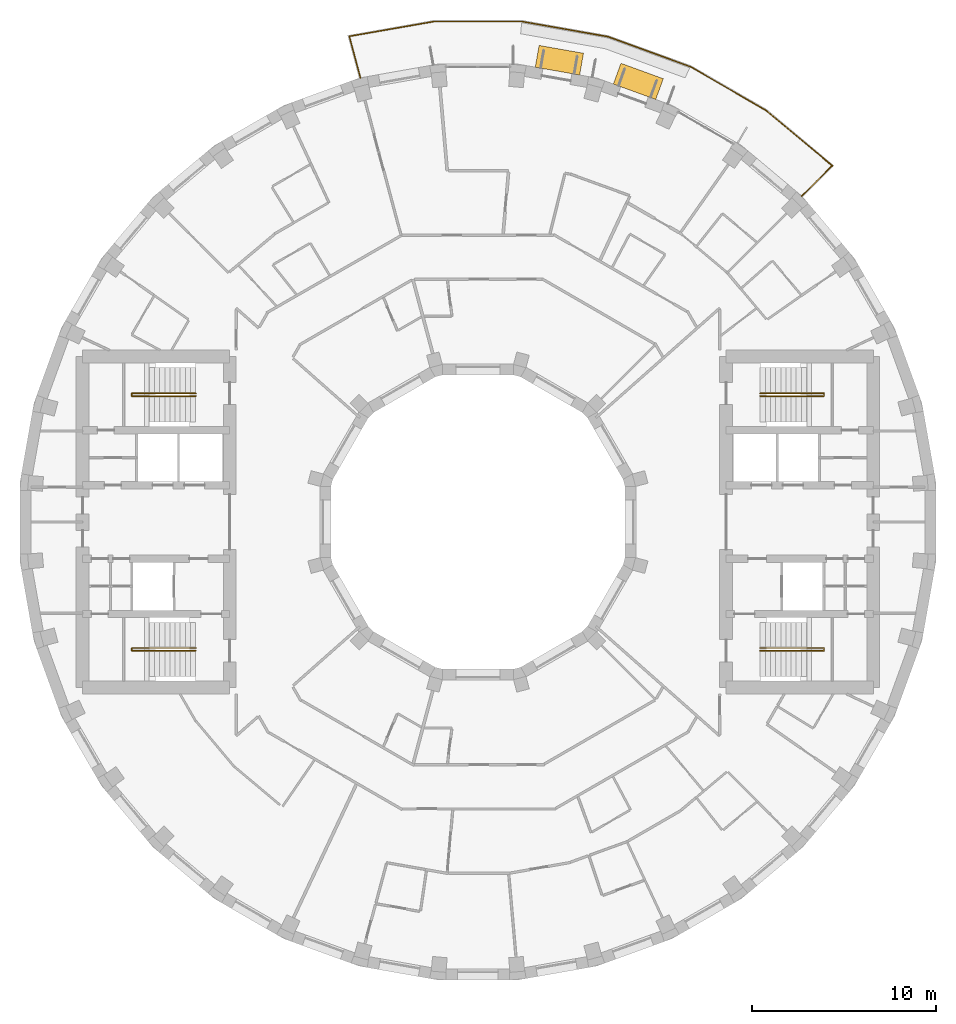
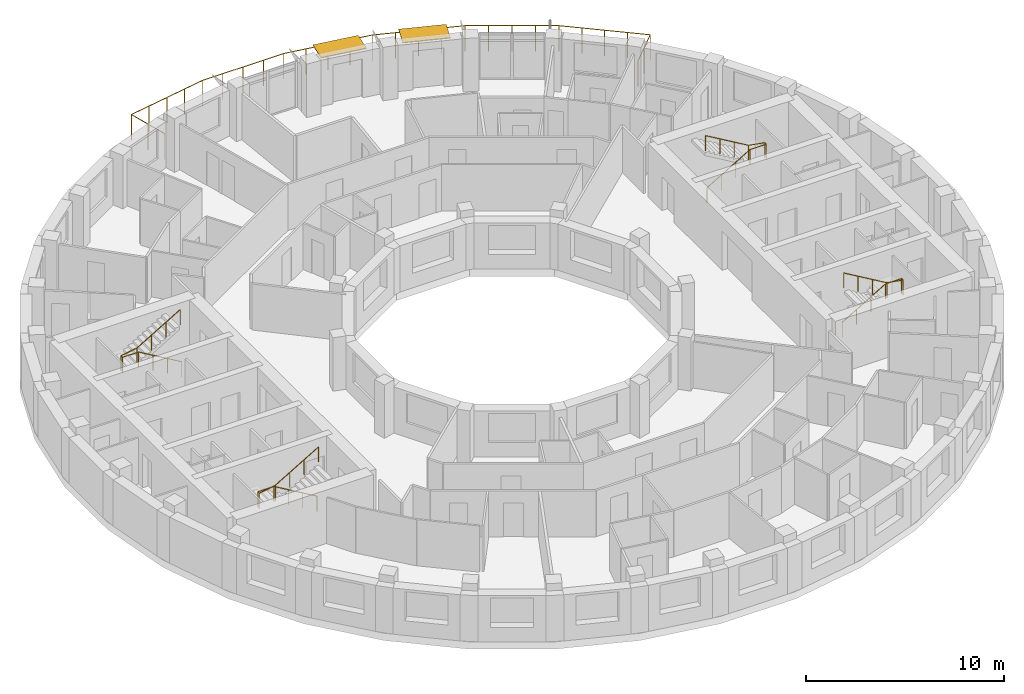
# One storey, part 13 of 13: 5 railings, 2 shading devices.
"""IFC4 building model written with IfcOpenShell, lengths in metres."""

from ifc_helpers import new_model, si_unit, direction, frame, origin, origin_2d, place, context, subcontext, project, spatial, rectangle, circle, extrude, material, layer, layer_set, type_object, element, save


model = new_model("IFC4")

# Units and contexts
model_context = context("Model", 3, precision=1e-05, world=origin(), true_north=direction((0.0, 1.0)))
body_context = subcontext(model_context, "Body", "Model", "MODEL_VIEW")
ifc_project = project(units=[si_unit("LENGTHUNIT", "METRE"), si_unit("AREAUNIT", "SQUARE_METRE"), si_unit("VOLUMEUNIT", "CUBIC_METRE"), si_unit("PLANEANGLEUNIT", "RADIAN"), si_unit("MASSUNIT", "GRAM", prefix="KILO")], contexts=[model_context])

# Site, building, storey
site_placement = place(None, origin())
site = spatial("IfcSite", under=ifc_project, at=site_placement, CompositionType="ELEMENT")
building_placement = place(site_placement, origin())
building = spatial("IfcBuilding", under=site, at=building_placement, Name="Saqina Gate Tower", CompositionType="ELEMENT")
storey_placement = place(building_placement, frame((0.0, 0.0, 200.39990234375)))
storey = spatial("IfcBuildingStorey", under=building, at=storey_placement, Name="L57", CompositionType="ELEMENT", Elevation=200.39990234375)

# Shading devices
ifc_material_1 = material(Name="Aluminium and fabric awning", Category="aluminium")
ifc_layer = layer(ifc_material_1, 0.050048828125)
ifc_layer_set = layer_set([ifc_layer], Name="AW-TERRACE")
shading_device_type = type_object("IfcShadingDeviceType", Name="AW-TERRACE", PredefinedType="AWNING", material=ifc_layer_set)
for number, where, z_axis, x_axis, name in (
    (1, (8.72314453125, 23.966796875, 2.52490234375), (0.0, 0.0, 1.0), (-0.939692620786, 0.342020143326, 0.0), "Terrace awning L57 facet 7"),
    (2, (4.428955078125, 25.117431640625, 2.52490234375), (0.0, 0.0, 1.0), (-0.984807753012, 0.173648177667, 0.0), "Terrace awning L57 facet 8"),
):
    element("IfcShadingDevice", number, at=place(storey_placement, frame(where, z_axis=z_axis, x_axis=x_axis)), inside=storey, type_object=shading_device_type, Name=name, PredefinedType="AWNING", context=body_context, shape_type="SweptSolid", body=[
        extrude(rectangle(XDim=2.44970703125, YDim=1.199951171875, at=origin_2d()), origin(), (0.0, 0.0, 1.0), 0.050048828125),
    ])

# Railings
ifc_material_2 = material(Name="Stainless steel", Category="steel")
railing_type_1 = type_object("IfcRailingType", Name="RL-TERRACE", PredefinedType="GUARDRAIL", material=ifc_material_2)
railing_1_placement = place(storey_placement, frame((17.57861328125, 17.69189453125, 0.0)))
element("IfcRailing", 3, at=railing_1_placement, inside=storey, type_object=railing_type_1, Name="Terrace guard L57", PredefinedType="GUARDRAIL", context=body_context, shape_type="SweptSolid", body=[
    extrude(circle(Radius=0.02392578125, at=origin_2d()), frame((0.0, 0.0, 1.576171875), z_axis=(0.707106781187, 0.707106781187, 0.0), x_axis=(-0.707106781187, 0.707106781187, 0.0)), (0.0, 0.0, 1.0), 2.388916015625),
    extrude(circle(Radius=0.02392578125, at=origin_2d()), frame((1.689208984375, 1.689208984375, 1.576171875), z_axis=(-0.767002243016, 0.641644418045, 0.0), x_axis=(-0.641644418045, -0.767002243016, 0.0)), (0.0, 0.0, 1.0), 4.683837890625),
    extrude(circle(Radius=0.02392578125, at=origin_2d()), frame((-1.9033203125, 4.694580078125, 1.576171875), z_axis=(-0.866026842905, 0.499997507361, 0.0), x_axis=(-0.499997507361, -0.866026842905, 0.0)), (0.0, 0.0, 1.0), 4.763671875),
    extrude(circle(Radius=0.02392578125, at=origin_2d()), frame((-6.02880859375, 7.076416015625, 1.576171875), z_axis=(-0.939688638318, 0.342031084868, 0.0), x_axis=(-0.342031084868, -0.939688638318, 0.0)), (0.0, 0.0, 1.0), 4.763916015625),
    extrude(circle(Radius=0.02392578125, at=origin_2d()), frame((-10.50537109375, 8.705810546875, 1.576171875), z_axis=(-0.98481037568, 0.173633303123, 0.0), x_axis=(-0.173633303123, -0.98481037568, 0.0)), (0.0, 0.0, 1.0), 4.763671875),
    extrude(circle(Radius=0.02392578125, at=origin_2d()), frame((-15.19677734375, 9.532958984375, 1.576171875), z_axis=(-1.0, 0.0, 0.0), x_axis=(0.0, -1.0, 0.0)), (0.0, 0.0, 1.0), 4.763671875),
    extrude(circle(Radius=0.02392578125, at=origin_2d()), frame((-19.96044921875, 9.532958984375, 1.576171875), z_axis=(-0.985070265823, -0.17215275598, 0.0), x_axis=(0.17215275598, -0.985070265823, 0.0)), (0.0, 0.0, 1.0), 4.68408203125),
    extrude(circle(Radius=0.02392578125, at=origin_2d()), frame((-24.57470703125, 8.7265625, 1.576171875), z_axis=(0.258851866296, -0.965917031279, 0.0), x_axis=(0.965917031279, 0.258851866296, 0.0)), (0.0, 0.0, 1.0), 2.38916015625),
    extrude(circle(Radius=0.02099609375, at=origin_2d()), origin(), (0.0, 0.0, 1.0), 1.552001953125),
    extrude(circle(Radius=0.02099609375, at=origin_2d()), frame((0.8447265625, 0.8447265625, 0.0)), (0.0, 0.0, 1.0), 1.552001953125),
    extrude(circle(Radius=0.02099609375, at=origin_2d()), frame((1.689208984375, 1.689208984375, 0.0)), (0.0, 0.0, 1.0), 1.552001953125),
    extrude(circle(Radius=0.02099609375, at=origin_2d()), frame((0.791015625, 2.4404296875, 0.0)), (0.0, 0.0, 1.0), 1.552001953125),
    extrude(circle(Radius=0.02099609375, at=origin_2d()), frame((-0.10693359375, 3.19189453125, 0.0)), (0.0, 0.0, 1.0), 1.552001953125),
    extrude(circle(Radius=0.02099609375, at=origin_2d()), frame((-1.005126953125, 3.943359375, 0.0)), (0.0, 0.0, 1.0), 1.552001953125),
    extrude(circle(Radius=0.02099609375, at=origin_2d()), frame((-1.9033203125, 4.694580078125, 0.0)), (0.0, 0.0, 1.0), 1.552001953125),
    extrude(circle(Radius=0.02099609375, at=origin_2d()), frame((-2.9345703125, 5.2900390625, 0.0)), (0.0, 0.0, 1.0), 1.552001953125),
    extrude(circle(Radius=0.02099609375, at=origin_2d()), frame((-3.966064453125, 5.885498046875, 0.0)), (0.0, 0.0, 1.0), 1.552001953125),
    extrude(circle(Radius=0.02099609375, at=origin_2d()), frame((-4.99755859375, 6.48095703125, 0.0)), (0.0, 0.0, 1.0), 1.552001953125),
    extrude(circle(Radius=0.02099609375, at=origin_2d()), frame((-6.02880859375, 7.076416015625, 0.0)), (0.0, 0.0, 1.0), 1.552001953125),
    extrude(circle(Radius=0.02099609375, at=origin_2d()), frame((-7.14794921875, 7.48388671875, 0.0)), (0.0, 0.0, 1.0), 1.552001953125),
    extrude(circle(Radius=0.02099609375, at=origin_2d()), frame((-8.26708984375, 7.89111328125, 0.0)), (0.0, 0.0, 1.0), 1.552001953125),
    extrude(circle(Radius=0.02099609375, at=origin_2d()), frame((-9.38623046875, 8.29833984375, 0.0)), (0.0, 0.0, 1.0), 1.552001953125),
    extrude(circle(Radius=0.02099609375, at=origin_2d()), frame((-10.50537109375, 8.705810546875, 0.0)), (0.0, 0.0, 1.0), 1.552001953125),
    extrude(circle(Radius=0.02099609375, at=origin_2d()), frame((-11.67822265625, 8.91259765625, 0.0)), (0.0, 0.0, 1.0), 1.552001953125),
    extrude(circle(Radius=0.02099609375, at=origin_2d()), frame((-12.85107421875, 9.119384765625, 0.0)), (0.0, 0.0, 1.0), 1.552001953125),
    extrude(circle(Radius=0.02099609375, at=origin_2d()), frame((-14.02392578125, 9.326171875, 0.0)), (0.0, 0.0, 1.0), 1.552001953125),
    extrude(circle(Radius=0.02099609375, at=origin_2d()), frame((-15.19677734375, 9.532958984375, 0.0)), (0.0, 0.0, 1.0), 1.552001953125),
    extrude(circle(Radius=0.02099609375, at=origin_2d()), frame((-16.3876953125, 9.532958984375, 0.0)), (0.0, 0.0, 1.0), 1.552001953125),
    extrude(circle(Radius=0.02099609375, at=origin_2d()), frame((-17.57861328125, 9.532958984375, 0.0)), (0.0, 0.0, 1.0), 1.552001953125),
    extrude(circle(Radius=0.02099609375, at=origin_2d()), frame((-18.76953125, 9.532958984375, 0.0)), (0.0, 0.0, 1.0), 1.552001953125),
    extrude(circle(Radius=0.02099609375, at=origin_2d()), frame((-19.96044921875, 9.532958984375, 0.0)), (0.0, 0.0, 1.0), 1.552001953125),
    extrude(circle(Radius=0.02099609375, at=origin_2d()), frame((-21.114013671875, 9.331298828125, 0.0)), (0.0, 0.0, 1.0), 1.552001953125),
    extrude(circle(Radius=0.02099609375, at=origin_2d()), frame((-22.267578125, 9.1298828125, 0.0)), (0.0, 0.0, 1.0), 1.552001953125),
    extrude(circle(Radius=0.02099609375, at=origin_2d()), frame((-23.421142578125, 8.92822265625, 0.0)), (0.0, 0.0, 1.0), 1.552001953125),
    extrude(circle(Radius=0.02099609375, at=origin_2d()), frame((-24.57470703125, 8.7265625, 0.0)), (0.0, 0.0, 1.0), 1.552001953125),
    extrude(circle(Radius=0.02099609375, at=origin_2d()), frame((-24.265625, 7.57275390625, 0.0)), (0.0, 0.0, 1.0), 1.552001953125),
    extrude(circle(Radius=0.02099609375, at=origin_2d()), frame((-23.956298828125, 6.4189453125, 0.0)), (0.0, 0.0, 1.0), 1.552001953125),
])
ifc_material_3 = material(Name="Stainless steel", Category="steel")
railing_type_2 = type_object("IfcRailingType", Name="STAIR HANDRAIL", PredefinedType="HANDRAIL", material=ifc_material_3)
railing_2_placement = place(storey_placement, frame((15.35009765625, 6.85009765625, 0.1650390625)))
element("IfcRailing", 4, at=railing_2_placement, inside=storey, type_object=railing_type_2, Name="EXIT STAIR 1 HANDRAIL", PredefinedType="HANDRAIL", context=body_context, shape_type="SweptSolid", body=[
    extrude(circle(Radius=0.02392578125, at=origin_2d()), frame((0.0, 0.0, 0.92578125), z_axis=(0.86152411907, 0.0, 0.507716645641), x_axis=(0.0, 1.0, 0.0)), (0.0, 0.0, 1.0), 2.925048828125),
    extrude(circle(Radius=0.02392578125, at=origin_2d()), frame((2.52001953125, 0.0, 2.4111328125), z_axis=(1.0, 0.0, 0.0), x_axis=(0.0, 1.0, 0.0)), (0.0, 0.0, 1.0), 0.949951171875),
    extrude(circle(Radius=0.02392578125, at=origin_2d()), frame((3.469970703125, 0.0, 2.4111328125), z_axis=(0.0, 1.0, 0.0), x_axis=(-1.0, 0.0, 0.0)), (0.0, 0.0, 1.0), 0.14990234375),
    extrude(circle(Radius=0.02392578125, at=origin_2d()), frame((3.469970703125, 0.14990234375, 2.4111328125), z_axis=(-0.985241474778, 0.0, 0.171170197109), x_axis=(0.0, -1.0, 0.0)), (0.0, 0.0, 1.0), 0.964111328125),
    extrude(circle(Radius=0.02392578125, at=origin_2d()), frame((2.52001953125, 0.14990234375, 2.576171875), z_axis=(-0.861560626758, 0.0, 0.507654692109), x_axis=(0.0, -1.0, 0.0)), (0.0, 0.0, 1.0), 2.925048828125),
    extrude(circle(Radius=0.02099609375, at=origin_2d()), origin(), (0.0, 0.0, 1.0), 0.90185546875),
    extrude(circle(Radius=0.02099609375, at=origin_2d()), frame((0.840087890625, 0.0, 0.4951171875)), (0.0, 0.0, 1.0), 0.90185546875),
    extrude(circle(Radius=0.02099609375, at=origin_2d()), frame((1.679931640625, 0.0, 0.989990234375)), (0.0, 0.0, 1.0), 0.90185546875),
    extrude(circle(Radius=0.02099609375, at=origin_2d()), frame((2.52001953125, 0.0, 1.485107421875)), (0.0, 0.0, 1.0), 0.90185546875),
    extrude(circle(Radius=0.02099609375, at=origin_2d()), frame((3.469970703125, 0.0, 1.485107421875)), (0.0, 0.0, 1.0), 0.90185546875),
    extrude(circle(Radius=0.02099609375, at=origin_2d()), frame((3.469970703125, 0.14990234375, 1.485107421875)), (0.0, 0.0, 1.0), 0.90185546875),
    extrude(circle(Radius=0.02099609375, at=origin_2d()), frame((2.52001953125, 0.14990234375, 1.650146484375)), (0.0, 0.0, 1.0), 0.90185546875),
    extrude(circle(Radius=0.02099609375, at=origin_2d()), frame((1.679931640625, 0.14990234375, 2.14501953125)), (0.0, 0.0, 1.0), 0.90185546875),
    extrude(circle(Radius=0.02099609375, at=origin_2d()), frame((0.840087890625, 0.14990234375, 2.64013671875)), (0.0, 0.0, 1.0), 0.90185546875),
    extrude(circle(Radius=0.02099609375, at=origin_2d()), frame((0.0, 0.14990234375, 3.135009765625)), (0.0, 0.0, 1.0), 0.90185546875),
])
railing_3_placement = place(storey_placement, frame((15.35009765625, -6.85009765625, 0.1650390625)))
element("IfcRailing", 5, at=railing_3_placement, inside=storey, type_object=railing_type_2, Name="EXIT STAIR 2 HANDRAIL", PredefinedType="HANDRAIL", context=body_context, shape_type="SweptSolid", body=[
    extrude(circle(Radius=0.02392578125, at=origin_2d()), frame((0.0, 0.0, 0.92578125), z_axis=(0.86152411907, 0.0, 0.507716645641), x_axis=(0.0, 1.0, 0.0)), (0.0, 0.0, 1.0), 2.925048828125),
    extrude(circle(Radius=0.02392578125, at=origin_2d()), frame((2.52001953125, 0.0, 2.4111328125), z_axis=(1.0, 0.0, 0.0), x_axis=(0.0, 1.0, 0.0)), (0.0, 0.0, 1.0), 0.949951171875),
    extrude(circle(Radius=0.02392578125, at=origin_2d()), frame((3.469970703125, 0.0, 2.4111328125), z_axis=(0.0, -1.0, 0.0), x_axis=(1.0, 0.0, 0.0)), (0.0, 0.0, 1.0), 0.14990234375),
    extrude(circle(Radius=0.02392578125, at=origin_2d()), frame((3.469970703125, -0.14990234375, 2.4111328125), z_axis=(-0.985241474778, 0.0, 0.171170197109), x_axis=(0.0, -1.0, 0.0)), (0.0, 0.0, 1.0), 0.964111328125),
    extrude(circle(Radius=0.02392578125, at=origin_2d()), frame((2.52001953125, -0.14990234375, 2.576171875), z_axis=(-0.861560626758, 0.0, 0.507654692109), x_axis=(0.0, -1.0, 0.0)), (0.0, 0.0, 1.0), 2.925048828125),
    extrude(circle(Radius=0.02099609375, at=origin_2d()), origin(), (0.0, 0.0, 1.0), 0.90185546875),
    extrude(circle(Radius=0.02099609375, at=origin_2d()), frame((0.840087890625, 0.0, 0.4951171875)), (0.0, 0.0, 1.0), 0.90185546875),
    extrude(circle(Radius=0.02099609375, at=origin_2d()), frame((1.679931640625, 0.0, 0.989990234375)), (0.0, 0.0, 1.0), 0.90185546875),
    extrude(circle(Radius=0.02099609375, at=origin_2d()), frame((2.52001953125, 0.0, 1.485107421875)), (0.0, 0.0, 1.0), 0.90185546875),
    extrude(circle(Radius=0.02099609375, at=origin_2d()), frame((3.469970703125, 0.0, 1.485107421875)), (0.0, 0.0, 1.0), 0.90185546875),
    extrude(circle(Radius=0.02099609375, at=origin_2d()), frame((3.469970703125, -0.14990234375, 1.485107421875)), (0.0, 0.0, 1.0), 0.90185546875),
    extrude(circle(Radius=0.02099609375, at=origin_2d()), frame((2.52001953125, -0.14990234375, 1.650146484375)), (0.0, 0.0, 1.0), 0.90185546875),
    extrude(circle(Radius=0.02099609375, at=origin_2d()), frame((1.679931640625, -0.14990234375, 2.14501953125)), (0.0, 0.0, 1.0), 0.90185546875),
    extrude(circle(Radius=0.02099609375, at=origin_2d()), frame((0.840087890625, -0.14990234375, 2.64013671875)), (0.0, 0.0, 1.0), 0.90185546875),
    extrude(circle(Radius=0.02099609375, at=origin_2d()), frame((0.0, -0.14990234375, 3.135009765625)), (0.0, 0.0, 1.0), 0.90185546875),
])
railing_4_placement = place(storey_placement, frame((-15.35009765625, 6.85009765625, 0.1650390625)))
element("IfcRailing", 6, at=railing_4_placement, inside=storey, type_object=railing_type_2, Name="EXIT STAIR 3 HANDRAIL", PredefinedType="HANDRAIL", context=body_context, shape_type="SweptSolid", body=[
    extrude(circle(Radius=0.02392578125, at=origin_2d()), frame((0.0, 0.0, 0.92578125), z_axis=(-0.86152411907, 0.0, 0.507716645641), x_axis=(0.0, -1.0, 0.0)), (0.0, 0.0, 1.0), 2.925048828125),
    extrude(circle(Radius=0.02392578125, at=origin_2d()), frame((-2.52001953125, 0.0, 2.4111328125), z_axis=(-1.0, 0.0, 0.0), x_axis=(0.0, -1.0, 0.0)), (0.0, 0.0, 1.0), 0.949951171875),
    extrude(circle(Radius=0.02392578125, at=origin_2d()), frame((-3.469970703125, 0.0, 2.4111328125), z_axis=(0.0, 1.0, 0.0), x_axis=(-1.0, 0.0, 0.0)), (0.0, 0.0, 1.0), 0.14990234375),
    extrude(circle(Radius=0.02392578125, at=origin_2d()), frame((-3.469970703125, 0.14990234375, 2.4111328125), z_axis=(0.985241474778, 0.0, 0.171170197109), x_axis=(0.0, 1.0, 0.0)), (0.0, 0.0, 1.0), 0.964111328125),
    extrude(circle(Radius=0.02392578125, at=origin_2d()), frame((-2.52001953125, 0.14990234375, 2.576171875), z_axis=(0.861560626758, 0.0, 0.507654692109), x_axis=(0.0, 1.0, 0.0)), (0.0, 0.0, 1.0), 2.925048828125),
    extrude(circle(Radius=0.02099609375, at=origin_2d()), origin(), (0.0, 0.0, 1.0), 0.90185546875),
    extrude(circle(Radius=0.02099609375, at=origin_2d()), frame((-0.840087890625, 0.0, 0.4951171875)), (0.0, 0.0, 1.0), 0.90185546875),
    extrude(circle(Radius=0.02099609375, at=origin_2d()), frame((-1.679931640625, 0.0, 0.989990234375)), (0.0, 0.0, 1.0), 0.90185546875),
    extrude(circle(Radius=0.02099609375, at=origin_2d()), frame((-2.52001953125, 0.0, 1.485107421875)), (0.0, 0.0, 1.0), 0.90185546875),
    extrude(circle(Radius=0.02099609375, at=origin_2d()), frame((-3.469970703125, 0.0, 1.485107421875)), (0.0, 0.0, 1.0), 0.90185546875),
    extrude(circle(Radius=0.02099609375, at=origin_2d()), frame((-3.469970703125, 0.14990234375, 1.485107421875)), (0.0, 0.0, 1.0), 0.90185546875),
    extrude(circle(Radius=0.02099609375, at=origin_2d()), frame((-2.52001953125, 0.14990234375, 1.650146484375)), (0.0, 0.0, 1.0), 0.90185546875),
    extrude(circle(Radius=0.02099609375, at=origin_2d()), frame((-1.679931640625, 0.14990234375, 2.14501953125)), (0.0, 0.0, 1.0), 0.90185546875),
    extrude(circle(Radius=0.02099609375, at=origin_2d()), frame((-0.840087890625, 0.14990234375, 2.64013671875)), (0.0, 0.0, 1.0), 0.90185546875),
    extrude(circle(Radius=0.02099609375, at=origin_2d()), frame((0.0, 0.14990234375, 3.135009765625)), (0.0, 0.0, 1.0), 0.90185546875),
])
railing_5_placement = place(storey_placement, frame((-15.35009765625, -6.85009765625, 0.1650390625)))
element("IfcRailing", 7, at=railing_5_placement, inside=storey, type_object=railing_type_2, Name="EXIT STAIR 4 HANDRAIL", PredefinedType="HANDRAIL", context=body_context, shape_type="SweptSolid", body=[
    extrude(circle(Radius=0.02392578125, at=origin_2d()), frame((0.0, 0.0, 0.92578125), z_axis=(-0.86152411907, 0.0, 0.507716645641), x_axis=(0.0, -1.0, 0.0)), (0.0, 0.0, 1.0), 2.925048828125),
    extrude(circle(Radius=0.02392578125, at=origin_2d()), frame((-2.52001953125, 0.0, 2.4111328125), z_axis=(-1.0, 0.0, 0.0), x_axis=(0.0, -1.0, 0.0)), (0.0, 0.0, 1.0), 0.949951171875),
    extrude(circle(Radius=0.02392578125, at=origin_2d()), frame((-3.469970703125, 0.0, 2.4111328125), z_axis=(0.0, -1.0, 0.0), x_axis=(1.0, 0.0, 0.0)), (0.0, 0.0, 1.0), 0.14990234375),
    extrude(circle(Radius=0.02392578125, at=origin_2d()), frame((-3.469970703125, -0.14990234375, 2.4111328125), z_axis=(0.985241474778, 0.0, 0.171170197109), x_axis=(0.0, 1.0, 0.0)), (0.0, 0.0, 1.0), 0.964111328125),
    extrude(circle(Radius=0.02392578125, at=origin_2d()), frame((-2.52001953125, -0.14990234375, 2.576171875), z_axis=(0.861560626758, 0.0, 0.507654692109), x_axis=(0.0, 1.0, 0.0)), (0.0, 0.0, 1.0), 2.925048828125),
    extrude(circle(Radius=0.02099609375, at=origin_2d()), origin(), (0.0, 0.0, 1.0), 0.90185546875),
    extrude(circle(Radius=0.02099609375, at=origin_2d()), frame((-0.840087890625, 0.0, 0.4951171875)), (0.0, 0.0, 1.0), 0.90185546875),
    extrude(circle(Radius=0.02099609375, at=origin_2d()), frame((-1.679931640625, 0.0, 0.989990234375)), (0.0, 0.0, 1.0), 0.90185546875),
    extrude(circle(Radius=0.02099609375, at=origin_2d()), frame((-2.52001953125, 0.0, 1.485107421875)), (0.0, 0.0, 1.0), 0.90185546875),
    extrude(circle(Radius=0.02099609375, at=origin_2d()), frame((-3.469970703125, 0.0, 1.485107421875)), (0.0, 0.0, 1.0), 0.90185546875),
    extrude(circle(Radius=0.02099609375, at=origin_2d()), frame((-3.469970703125, -0.14990234375, 1.485107421875)), (0.0, 0.0, 1.0), 0.90185546875),
    extrude(circle(Radius=0.02099609375, at=origin_2d()), frame((-2.52001953125, -0.14990234375, 1.650146484375)), (0.0, 0.0, 1.0), 0.90185546875),
    extrude(circle(Radius=0.02099609375, at=origin_2d()), frame((-1.679931640625, -0.14990234375, 2.14501953125)), (0.0, 0.0, 1.0), 0.90185546875),
    extrude(circle(Radius=0.02099609375, at=origin_2d()), frame((-0.840087890625, -0.14990234375, 2.64013671875)), (0.0, 0.0, 1.0), 0.90185546875),
    extrude(circle(Radius=0.02099609375, at=origin_2d()), frame((0.0, -0.14990234375, 3.135009765625)), (0.0, 0.0, 1.0), 0.90185546875),
])

save(model, "model.ifc")
